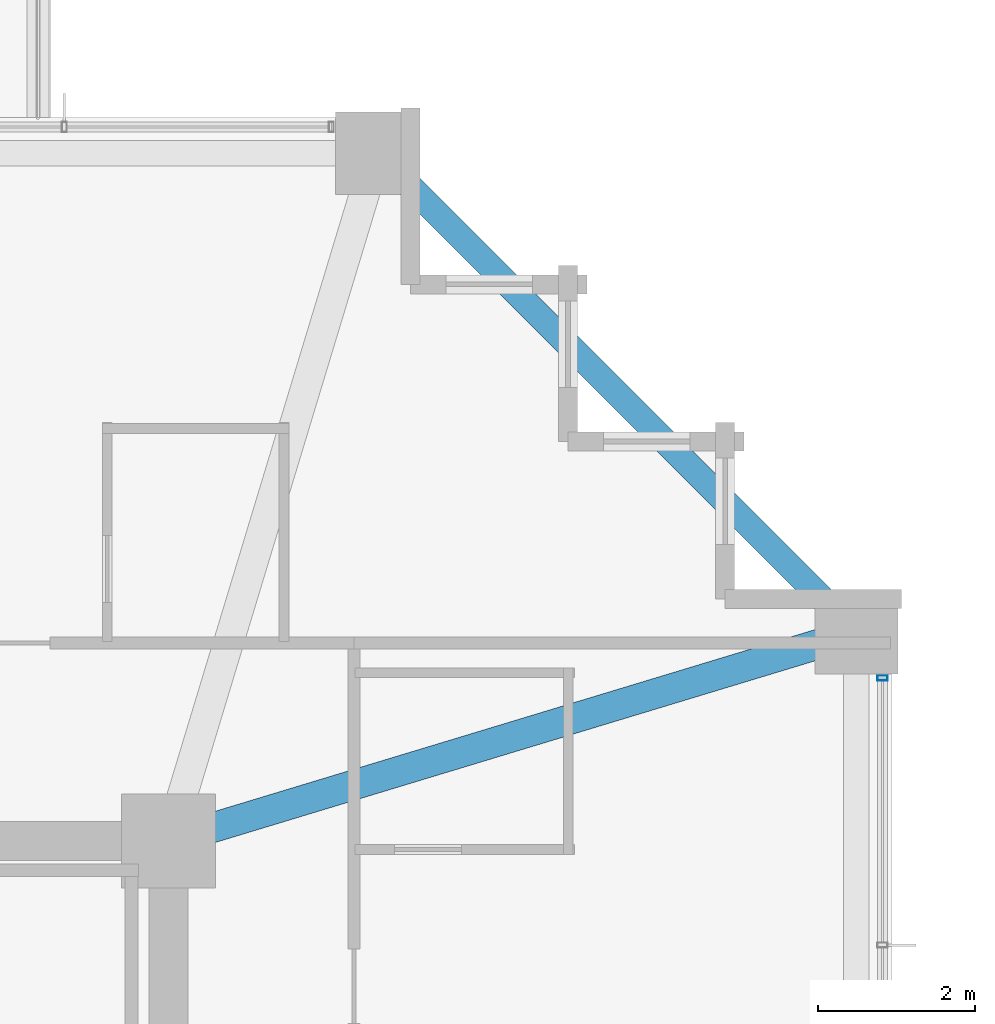
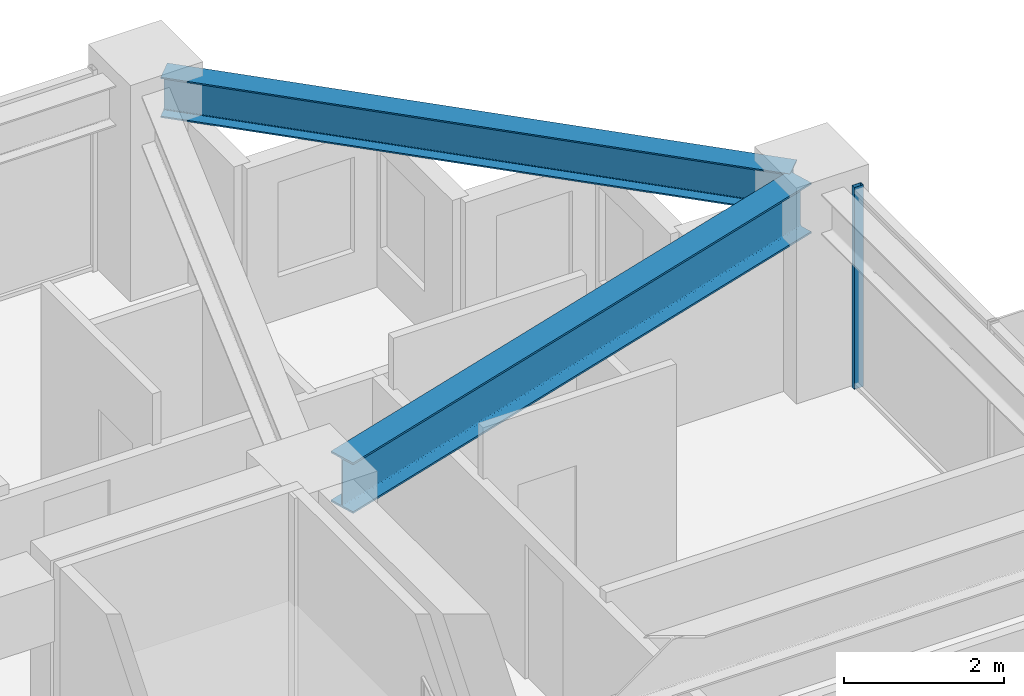
# One storey, part 21 of 34: 2 beams, 1 member, 1 element without a shape of its own.
"""IFC4 building model written with IfcOpenShell, lengths in metres."""

from ifc_helpers import new_model, si_unit, direction, frame, origin, origin_2d, place, context, subcontext, project, spatial, hollow_rectangle, i_section, extrude, material, material_profile, profile_set, type_object, element, aggregate, save


model = new_model("IFC4")

# Units and contexts
model_context = context("Model", 3, precision=1e-05, world=origin(), true_north=direction((0.0, 1.0)))
body_context = subcontext(model_context, "Body", "Model", "MODEL_VIEW")
ifc_project = project(units=[si_unit("LENGTHUNIT", "METRE"), si_unit("AREAUNIT", "SQUARE_METRE"), si_unit("VOLUMEUNIT", "CUBIC_METRE"), si_unit("PLANEANGLEUNIT", "RADIAN"), si_unit("MASSUNIT", "GRAM", prefix="KILO")], contexts=[model_context])

# Site, building, storey
site_placement = place(None, origin())
site = spatial("IfcSite", under=ifc_project, at=site_placement, CompositionType="ELEMENT")
building_placement = place(site_placement, origin())
building = spatial("IfcBuilding", under=site, at=building_placement, Name="Kolvaren Belvedere", CompositionType="ELEMENT")
storey_placement = place(building_placement, frame((0.0, 0.0, 111.800048828125)))
storey = spatial("IfcBuildingStorey", under=building, at=storey_placement, Name="L32", CompositionType="ELEMENT", Elevation=111.800048828125)

# Beams
ifc_material_1 = material(Name="Structural steel ASTM A992 Grade 50", Category="steel")
ifc_material_profile_1 = material_profile(ifc_material_1, i_section(OverallWidth=0.381103515625, OverallDepth=0.77294921875, WebThickness=0.0166015625, FlangeThickness=0.027099609375, FilletRadius=0.02392578125, at=origin_2d()), Name="W30X173")
ifc_profile_set_1 = profile_set([ifc_material_profile_1], Name="Structural steel ASTM A992 Grade 50")
beam_type_1 = type_object("IfcBeamType", Name="BM-GIRD-W30X173", PredefinedType="BEAM", material=ifc_profile_set_1)
beam_1_placement = place(storey_placement, frame((10.426513671875, 10.059326171875, 2.693359375), z_axis=(0.957069465398, 0.289858652454, 0.0), x_axis=(-0.289858652454, 0.957069465398, 0.0)))
element("IfcBeam", 1, at=beam_1_placement, inside=storey, type_object=beam_type_1, Name="L32 Corner Core-to-Perimeter Girder CC3-E4", PredefinedType="BEAM", context=body_context, shape_type="SweptSolid", body=[
    extrude(i_section(OverallWidth=0.381103515625, OverallDepth=0.77294921875, WebThickness=0.0166015625, FlangeThickness=0.027099609375, FilletRadius=0.02392578125, at=origin_2d()), origin(), (0.0, 0.0, 1.0), 8.38232421875),
])
ifc_material_2 = material(Name="Structural steel ASTM A992 Grade 50", Category="steel")
ifc_material_profile_2 = material_profile(ifc_material_2, i_section(OverallWidth=0.324951171875, OverallDepth=0.615966796875, WebThickness=0.013916015625, FlangeThickness=0.021484375, FilletRadius=0.02001953125, at=origin_2d()), Name="W24X117")
ifc_profile_set_2 = profile_set([ifc_material_profile_2], Name="Structural steel ASTM A992 Grade 50")
beam_type_2 = type_object("IfcBeamType", Name="BM-SPAN-W24X117", PredefinedType="SPANDREL", material=ifc_profile_set_2)
beam_2_placement = place(storey_placement, frame((18.48291015625, 12.717041015625, 2.77197265625), z_axis=(-0.707106781187, 0.707106781187, 0.0), x_axis=(-0.707106781187, -0.707106781187, 0.0)))
element("IfcBeam", 2, at=beam_2_placement, inside=storey, type_object=beam_type_2, Name="L32 Perimeter Spandrel E4-N4", PredefinedType="SPANDREL", context=body_context, shape_type="SweptSolid", body=[
    extrude(i_section(OverallWidth=0.324951171875, OverallDepth=0.615966796875, WebThickness=0.013916015625, FlangeThickness=0.021484375, FilletRadius=0.02001953125, at=origin_2d()), origin(), (0.0, 0.0, 1.0), 8.154052734375),
])

# Curtain wall, member
ifc_material_3 = material(Name="Anodised pale-metal aluminium AA 6063-T6", Category="aluminium")
curtain_wall_type = type_object("IfcCurtainWallType", Name="CW-Z3-WAIST", PredefinedType="NOTDEFINED", material=ifc_material_3)
curtain_wall_placement = place(storey_placement, origin())
curtain_wall = element("IfcCurtainWall", 3, at=curtain_wall_placement, inside=storey, type_object=curtain_wall_type, Name="L32 Unitised Curtain Wall FCW-L32-E-B1", PredefinedType="NOTDEFINED")
ifc_material_4 = material(Name="Anodised pale-metal aluminium AA 6063-T6", Category="aluminium")
ifc_material_profile_3 = material_profile(ifc_material_4, hollow_rectangle(XDim=0.06494140625, YDim=0.1298828125, WallThickness=0.00390625, at=origin_2d()), Name="ALU-MUL-130X65")
ifc_profile_set_3 = profile_set([ifc_material_profile_3], Name="Anodised pale-metal aluminium AA 6063-T6")
member_type = type_object("IfcMemberType", Name="CW-MUL-130", PredefinedType="MULLION", material=ifc_profile_set_3)
member_placement = place(storey_placement, frame((18.97998046875, 11.972412109375, 0.0), z_axis=(0.0, 0.0, 1.0), x_axis=(0.0, 1.0, 0.0)))
member = element("IfcMember", 4, at=member_placement, type_object=member_type, Name="FCW-L32-E-B1 Unitised Mullion 1", PredefinedType="MULLION", context=body_context, shape_type="SweptSolid", body=[
    extrude(hollow_rectangle(XDim=0.06494140625, YDim=0.1298828125, WallThickness=0.00390625, at=origin_2d()), origin(), (0.0, 0.0, 1.0), 3.079833984375),
])
aggregate(curtain_wall, [member])

save(model, "model.ifc")
